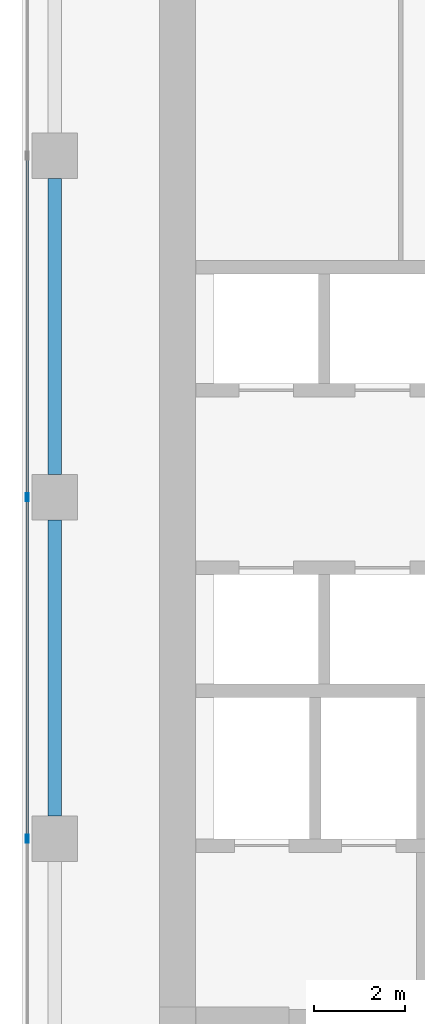
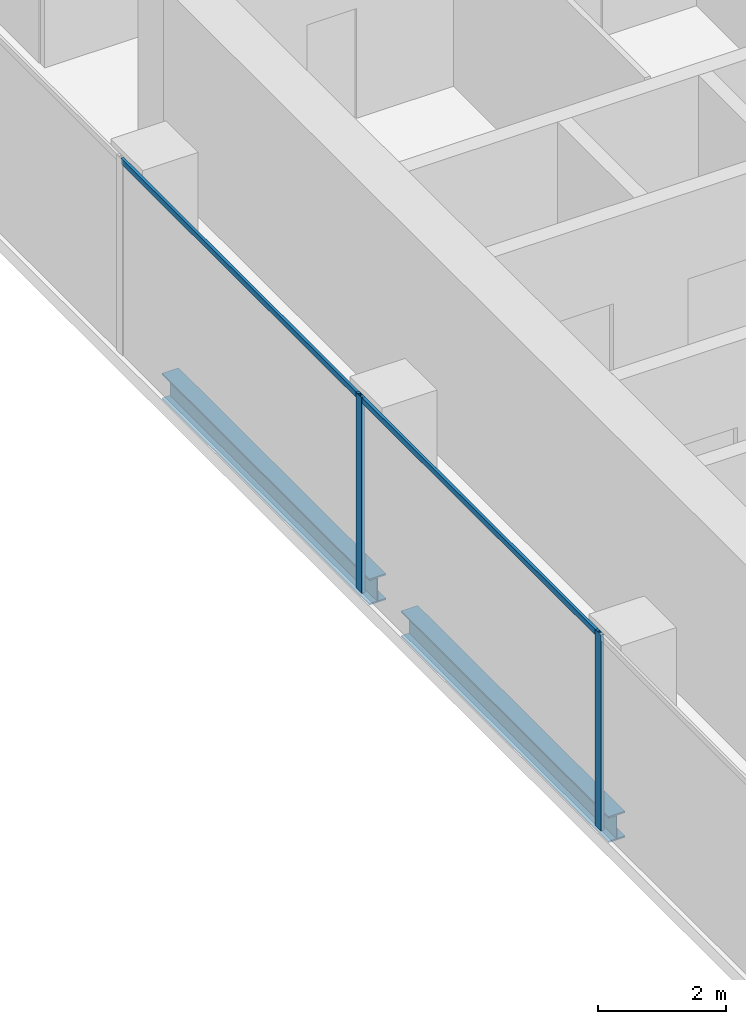
# One storey, part 8 of 40: 4 members, 2 beams, 1 element without a shape of its own.
"""IFC4 building model written with IfcOpenShell, lengths in metres."""

from ifc_helpers import new_model, si_unit, direction, frame, origin, origin_2d, place, context, subcontext, project, spatial, hollow_rectangle, i_section, extrude, source, transform, mapped, material, material_profile, profile_set, type_object, element, aggregate, save


model = new_model("IFC4")

# Units and contexts
model_context = context("Model", 3, precision=1e-05, world=origin(), true_north=direction((0.0, 1.0)))
body_context = subcontext(model_context, "Body", "Model", "MODEL_VIEW")
ifc_project = project(units=[si_unit("LENGTHUNIT", "METRE"), si_unit("AREAUNIT", "SQUARE_METRE"), si_unit("VOLUMEUNIT", "CUBIC_METRE"), si_unit("PLANEANGLEUNIT", "RADIAN"), si_unit("MASSUNIT", "GRAM", prefix="KILO")], contexts=[model_context])

# Site, building, storey
site_placement = place(None, origin())
site = spatial("IfcSite", under=ifc_project, at=site_placement, CompositionType="ELEMENT")
building_placement = place(site_placement, origin())
building = spatial("IfcBuilding", under=site, at=building_placement, Name="Khomas Fold Tower", CompositionType="ELEMENT")
storey_placement = place(building_placement, frame((0.0, 0.0, 204.699951171875)))
storey = spatial("IfcBuildingStorey", under=building, at=storey_placement, Name="L45", CompositionType="ELEMENT", Elevation=204.699951171875)

# Beams
ifc_material_1 = material(Name="Steel S355", Category="steel")
ifc_material_profile_1 = material_profile(ifc_material_1, i_section(OverallWidth=0.300048828125, OverallDepth=0.5, WebThickness=0.014404296875, FlangeThickness=0.028076171875, at=origin_2d()), Name="HE 500 B")
ifc_profile_set_1 = profile_set([ifc_material_profile_1], Name="Steel S355")
beam_type = type_object("IfcBeamType", Name="HE 500 B spandrel SB3", PredefinedType="SPANDREL", material=ifc_profile_set_1)
shared_shape_1 = source(origin(), body_context, "Body", "SweptSolid", [
    extrude(i_section(OverallWidth=0.300048828125, OverallDepth=0.5, WebThickness=0.014404296875, FlangeThickness=0.028076171875, at=origin_2d()), origin(), (0.0, 0.0, 1.0), 6.5),
])
for number, where, z_axis, x_axis, name in (
    (1, (3.699951171875, 27.5, -0.5), (0.0, 1.0, 0.0), (-1.0, 0.0, 0.0), "SB3"),
    (2, (3.699951171875, 20.0, -0.5), (0.0, 1.0, 0.0), (-1.0, 0.0, 0.0), "SB3"),
):
    element("IfcBeam", number, at=place(storey_placement, frame(where, z_axis=z_axis, x_axis=x_axis)), inside=storey, type_object=beam_type, Name=name, PredefinedType="SPANDREL", context=body_context, shape_type="MappedRepresentation", body=[
        mapped(shared_shape_1, transform((0.0, 0.0, 0.0))),
    ])

# Curtain wall, members
ifc_material_2 = material(Name="Aluminium framed double glazing", Category="aluminium")
curtain_wall_type = type_object("IfcCurtainWallType", Name="SK-Unitised clear-glass wall, office floors CW2", PredefinedType="NOTDEFINED", material=ifc_material_2)
curtain_wall_placement = place(storey_placement, origin())
curtain_wall = element("IfcCurtainWall", 3, at=curtain_wall_placement, inside=storey, type_object=curtain_wall_type, Name="CW2 run L45 09-0", PredefinedType="NOTDEFINED")
ifc_material_3 = material(Name="Aluminium", Category="aluminium")
ifc_material_profile_2 = material_profile(ifc_material_3, hollow_rectangle(XDim=0.06005859375, YDim=0.179931640625, WallThickness=0.00390625, at=origin_2d()), Name="SK-Unitised clear-glass wall, office floors mullion CW2-M")
ifc_profile_set_2 = profile_set([ifc_material_profile_2], Name="Aluminium")
member_type_1 = type_object("IfcMemberType", Name="SK-Unitised clear-glass wall, office floors mullion CW2-M", PredefinedType="MULLION", material=ifc_profile_set_2)
shared_shape_2 = source(origin(), body_context, "Body", "SweptSolid", [
    extrude(hollow_rectangle(XDim=0.06005859375, YDim=0.179931640625, WallThickness=0.00390625, at=origin_2d()), origin(), (0.0, 0.0, 1.0), 3.75),
])
member_1_placement = place(storey_placement, frame((3.10009765625, 27.0, 0.0), z_axis=(0.0, 0.0, 1.0), x_axis=(1.0, 0.0, 0.0)))
member_1 = element("IfcMember", 4, at=member_1_placement, type_object=member_type_1, Name="CW2 mullion 5", PredefinedType="MULLION", context=body_context, shape_type="MappedRepresentation", body=[
    mapped(shared_shape_2, transform((0.0, 0.0, 0.0))),
])
member_2_placement = place(storey_placement, frame((3.10009765625, 19.5, 0.0), z_axis=(0.0, 0.0, 1.0), x_axis=(1.0, 0.0, 0.0)))
member_2 = element("IfcMember", 5, at=member_2_placement, type_object=member_type_1, Name="CW2 mullion 6", PredefinedType="MULLION", context=body_context, shape_type="MappedRepresentation", body=[
    mapped(shared_shape_2, transform((0.0, 0.0, 0.0))),
])
ifc_material_4 = material(Name="Aluminium", Category="aluminium")
ifc_material_profile_3 = material_profile(ifc_material_4, hollow_rectangle(XDim=0.050048828125, YDim=0.110107421875, WallThickness=0.00390625, at=origin_2d()), Name="SK-Unitised clear-glass wall, office floors transom CW2-T")
ifc_profile_set_3 = profile_set([ifc_material_profile_3], Name="Aluminium")
member_type_2 = type_object("IfcMemberType", Name="SK-Unitised clear-glass wall, office floors transom CW2-T", PredefinedType="USERDEFINED", material=ifc_profile_set_3)
shared_shape_3 = source(origin(), body_context, "Body", "SweptSolid", [
    extrude(hollow_rectangle(XDim=0.050048828125, YDim=0.110107421875, WallThickness=0.00390625, at=origin_2d()), origin(), (0.0, 0.0, 1.0), 7.43994140625),
])
member_3_placement = place(storey_placement, frame((3.10009765625, 34.469970703125, 3.695068359375), z_axis=(0.0, -1.0, 0.0), x_axis=(1.0, 0.0, 0.0)))
member_3 = element("IfcMember", 6, at=member_3_placement, type_object=member_type_2, Name="CW2 transom 4", ObjectType="TRANSOM", PredefinedType="USERDEFINED", context=body_context, shape_type="MappedRepresentation", body=[
    mapped(shared_shape_3, transform((0.0, 0.0, 0.0))),
])
member_4_placement = place(storey_placement, frame((3.10009765625, 26.969970703125, 3.695068359375), z_axis=(0.0, -1.0, 0.0), x_axis=(1.0, 0.0, 0.0)))
member_4 = element("IfcMember", 7, at=member_4_placement, type_object=member_type_2, Name="CW2 transom 5", ObjectType="TRANSOM", PredefinedType="USERDEFINED", context=body_context, shape_type="MappedRepresentation", body=[
    mapped(shared_shape_3, transform((0.0, 0.0, 0.0))),
])
aggregate(curtain_wall, [member_1, member_2, member_3, member_4])

save(model, "model.ifc")
